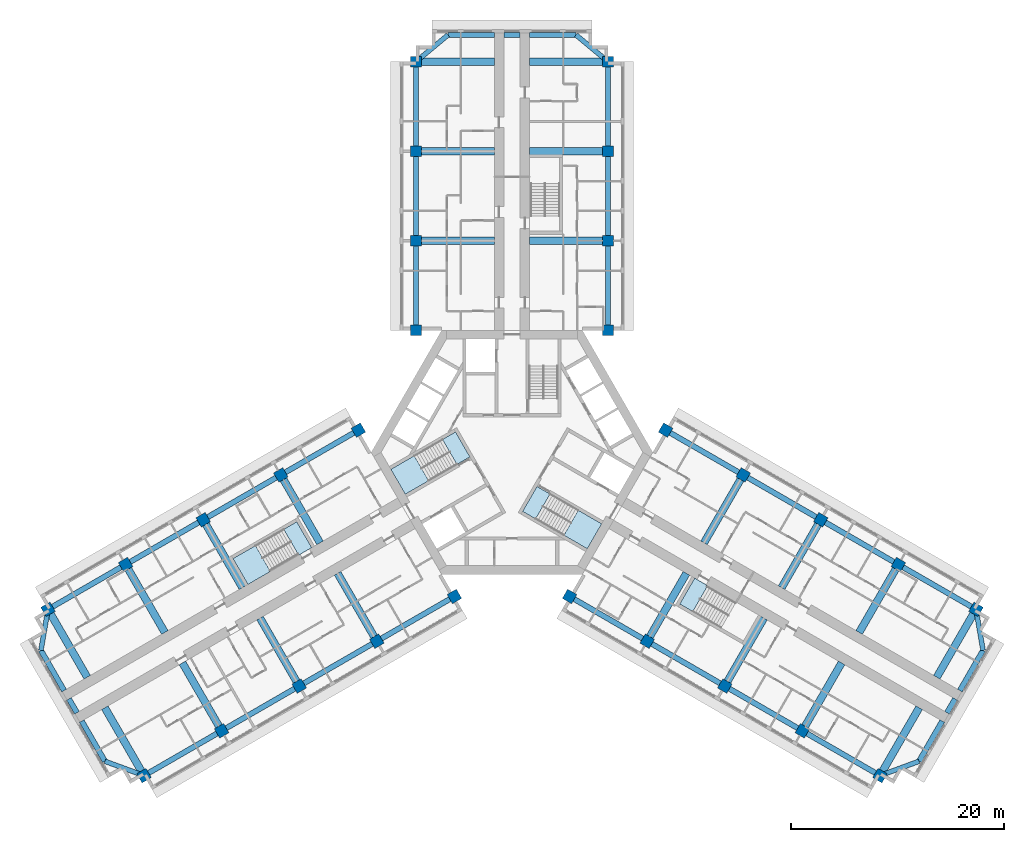
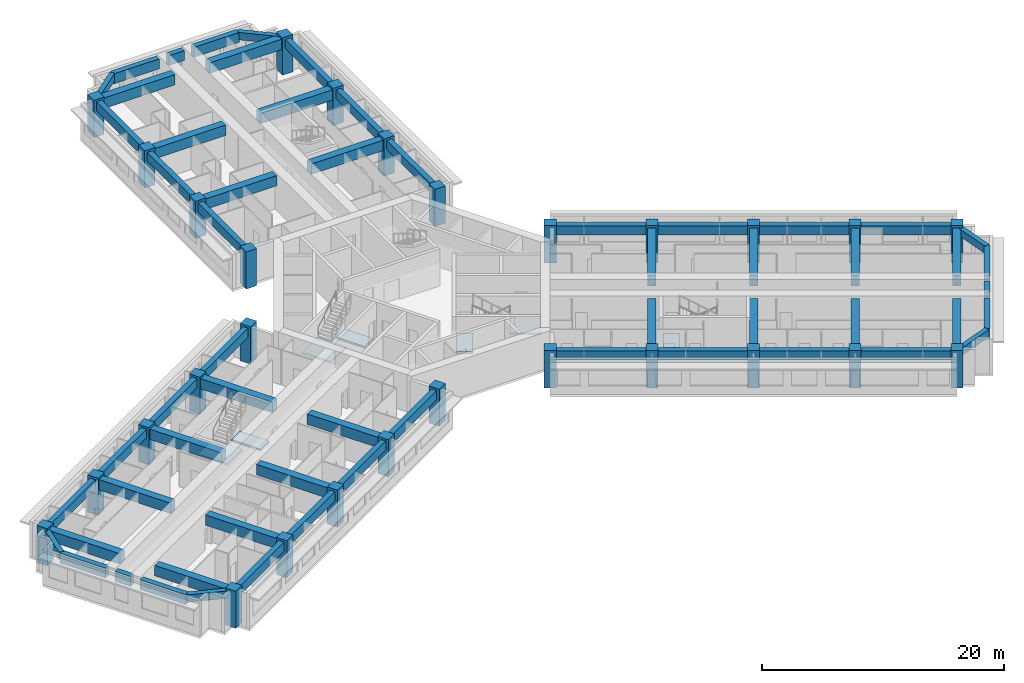
# One storey, part 1 of 14: 59 beams, 28 columns, 7 slabs, 4 elements without a shape of their own.
"""IFC4 building model written with IfcOpenShell, lengths in metres."""

from ifc_helpers import new_model, si_unit, direction, frame, origin, origin_2d, place, context, subcontext, project, spatial, polyline, rectangle, outline, extrude, material, layer, layer_set, material_profile, profile_set, type_object, element, aggregate, save


model = new_model("IFC4")

# Units and contexts
model_context = context("Model", 3, precision=1e-05, world=origin(), true_north=direction((0.0, 1.0)))
body_context = subcontext(model_context, "Body", "Model", "MODEL_VIEW")
ifc_project = project(units=[si_unit("LENGTHUNIT", "METRE"), si_unit("AREAUNIT", "SQUARE_METRE"), si_unit("VOLUMEUNIT", "CUBIC_METRE"), si_unit("PLANEANGLEUNIT", "RADIAN"), si_unit("MASSUNIT", "GRAM", prefix="KILO")], contexts=[model_context])

# Site, building, storey
site_placement = place(None, origin())
site = spatial("IfcSite", under=ifc_project, at=site_placement, CompositionType="ELEMENT")
building_placement = place(site_placement, origin())
building = spatial("IfcBuilding", under=site, at=building_placement, Name="Impinga Residences", CompositionType="ELEMENT")
storey_placement = place(building_placement, frame((0.0, 0.0, 124.75)))
storey = spatial("IfcBuildingStorey", under=building, at=storey_placement, Name="L30", CompositionType="ELEMENT", Elevation=124.75)

# Columns
ifc_material_1 = material(Name="Concrete C60/75", Category="concrete")
ifc_material_profile_1 = material_profile(ifc_material_1, rectangle(XDim=1.0, YDim=1.0, at=origin_2d()), Name="RC 1000x1000")
ifc_profile_set_1 = profile_set([ifc_material_profile_1], Name="Concrete C60/75")
column_type = type_object("IfcColumnType", Name="C3 1000x1000 column", PredefinedType="COLUMN", material=ifc_profile_set_1)
for number, where, z_axis, x_axis, name in (
    (1, (-9.0, 11.431640625, 0.0), (0.0, 0.0, 1.0), (1.0, 0.0, 0.0), "Column C3 N1/NA L30"),
    (2, (9.0, 11.431640625, 0.0), (0.0, 0.0, 1.0), (1.0, 0.0, 0.0), "Column C3 N1/NF L30"),
    (3, (-9.0, 19.83154296875, 0.0), (0.0, 0.0, 1.0), (1.0, 0.0, 0.0), "Column C3 N2/NA L30"),
    (4, (9.0, 19.83154296875, 0.0), (0.0, 0.0, 1.0), (1.0, 0.0, 0.0), "Column C3 N2/NF L30"),
    (5, (-9.0, 28.2314453125, 0.0), (0.0, 0.0, 1.0), (1.0, 0.0, 0.0), "Column C3 N3/NA L30"),
    (6, (9.0, 28.2314453125, 0.0), (0.0, 0.0, 1.0), (1.0, 0.0, 0.0), "Column C3 N3/NF L30"),
    (7, (-9.0, 36.631591796875, 0.0), (0.0, 0.0, 1.0), (1.0, 0.0, 0.0), "Column C3 N4/NA L30"),
    (8, (9.0, 36.631591796875, 0.0), (0.0, 0.0, 1.0), (1.0, 0.0, 0.0), "Column C3 N4/NF L30"),
    (9, (-5.39990234375, -13.510009765625, 0.0), (0.0, 0.0, 1.0), (-0.5, 0.866025403784, 0.0), "Column C3 W1/WA L30"),
    (10, (-14.39990234375, 2.078369140625, 0.0), (0.0, 0.0, 1.0), (-0.5, 0.866025403784, 0.0), "Column C3 W1/WF L30"),
    (11, (-12.674560546875, -17.7099609375, 0.0), (0.0, 0.0, 1.0), (-0.5, 0.866025403784, 0.0), "Column C3 W2/WA L30"),
    (12, (-21.674560546875, -2.12158203125, 0.0), (0.0, 0.0, 1.0), (-0.5, 0.866025403784, 0.0), "Column C3 W2/WF L30"),
    (13, (-19.94921875, -21.909912109375, 0.0), (0.0, 0.0, 1.0), (-0.5, 0.866025403784, 0.0), "Column C3 W3/WA L30"),
    (14, (-28.94921875, -6.321533203125, 0.0), (0.0, 0.0, 1.0), (-0.5, 0.866025403784, 0.0), "Column C3 W3/WF L30"),
    (15, (-27.223876953125, -26.110107421875, 0.0), (0.0, 0.0, 1.0), (-0.5, 0.866025403784, 0.0), "Column C3 W4/WA L30"),
    (16, (-36.223876953125, -10.521484375, 0.0), (0.0, 0.0, 1.0), (-0.5, 0.866025403784, 0.0), "Column C3 W4/WF L30"),
    (17, (-34.49853515625, -30.31005859375, 0.0), (0.0, 0.0, 1.0), (-0.5, 0.866025403784, 0.0), "Column C3 W5/WA L30"),
    (18, (-43.49853515625, -14.721435546875, 0.0), (0.0, 0.0, 1.0), (-0.5, 0.866025403784, 0.0), "Column C3 W5/WF L30"),
    (19, (14.39990234375, 2.078369140625, 0.0), (0.0, 0.0, 1.0), (-0.5, -0.866025403784, 0.0), "Column C3 E1/EA L30"),
    (20, (5.39990234375, -13.510009765625, 0.0), (0.0, 0.0, 1.0), (-0.5, -0.866025403784, 0.0), "Column C3 E1/EF L30"),
    (21, (21.674560546875, -2.12158203125, 0.0), (0.0, 0.0, 1.0), (-0.5, -0.866025403784, 0.0), "Column C3 E2/EA L30"),
    (22, (12.674560546875, -17.7099609375, 0.0), (0.0, 0.0, 1.0), (-0.5, -0.866025403784, 0.0), "Column C3 E2/EF L30"),
    (23, (28.94921875, -6.321533203125, 0.0), (0.0, 0.0, 1.0), (-0.5, -0.866025403784, 0.0), "Column C3 E3/EA L30"),
    (24, (19.94921875, -21.909912109375, 0.0), (0.0, 0.0, 1.0), (-0.5, -0.866025403784, 0.0), "Column C3 E3/EF L30"),
    (25, (36.223876953125, -10.521484375, 0.0), (0.0, 0.0, 1.0), (-0.5, -0.866025403784, 0.0), "Column C3 E4/EA L30"),
    (26, (27.223876953125, -26.110107421875, 0.0), (0.0, 0.0, 1.0), (-0.5, -0.866025403784, 0.0), "Column C3 E4/EF L30"),
    (27, (43.49853515625, -14.721435546875, 0.0), (0.0, 0.0, 1.0), (-0.5, -0.866025403784, 0.0), "Column C3 E5/EA L30"),
    (28, (34.49853515625, -30.31005859375, 0.0), (0.0, 0.0, 1.0), (-0.5, -0.866025403784, 0.0), "Column C3 E5/EF L30"),
):
    element("IfcColumn", number, at=place(storey_placement, frame(where, z_axis=z_axis, x_axis=x_axis)), inside=storey, type_object=column_type, Name=name, PredefinedType="COLUMN", context=body_context, shape_type="SweptSolid", body=[
        extrude(rectangle(XDim=1.0, YDim=1.0, at=origin_2d()), origin(), (0.0, 0.0, 1.0), 3.75),
    ])

# Beams
ifc_material_profile_2 = material_profile(ifc_material_1, rectangle(XDim=0.449951171875, YDim=0.75, at=origin_2d()), Name="RC 450x750")
ifc_profile_set_2 = profile_set([ifc_material_profile_2], Name="Concrete C60/75")
beam_type_1 = type_object("IfcBeamType", Name="CB1 450x750 wing end cantilever beam", PredefinedType="BEAM", material=ifc_profile_set_2)
for number, where, z_axis, x_axis, name in (
    (29, (-9.0, 36.631591796875, 3.155029296875), (0.768221279597, 0.640184399664, 0.0), (-0.640184399664, 0.768221279597, 0.0), "Beam CB1 NB N4-NX level L31"),
    (30, (9.0, 36.631591796875, 3.155029296875), (-0.768221279597, 0.640184399664, 0.0), (-0.640184399664, -0.768221279597, 0.0), "Beam CB1 NE N4-NX level L31"),
    (31, (-34.49853515625, -30.31005859375, 3.155029296875), (-0.938520178725, 0.345224382289, 0.0), (-0.345224382289, -0.938520178725, 0.0), "Beam CB1 WB W5-WX level L31"),
):
    element("IfcBeam", number, at=place(storey_placement, frame(where, z_axis=z_axis, x_axis=x_axis)), inside=storey, type_object=beam_type_1, Name=name, PredefinedType="BEAM", context=body_context, shape_type="SweptSolid", body=[
        extrude(rectangle(XDim=0.449951171875, YDim=0.75, at=origin_2d()), origin(), (0.0, 0.0, 1.0), 3.905029296875),
    ])
for number, where, z_axis, x_axis, name in (
    (32, (-43.49853515625, -14.721435546875, 3.155029296875), (-0.170296298948, -0.985392901621, 0.0), (0.985392901621, -0.170296298948, 0.0), "Beam CB1 WE W5-WX level L31"),
    (33, (43.49853515625, -14.721435546875, 3.155029296875), (0.170296298948, -0.985392901621, 0.0), (0.985392901621, 0.170296298948, 0.0), "Beam CB1 EB E5-EX level L31"),
):
    element("IfcBeam", number, at=place(storey_placement, frame(where, z_axis=z_axis, x_axis=x_axis)), inside=storey, type_object=beam_type_1, Name=name, PredefinedType="BEAM", context=body_context, shape_type="SweptSolid", body=[
        extrude(rectangle(XDim=0.449951171875, YDim=0.75, at=origin_2d()), origin(), (0.0, 0.0, 1.0), 3.9052734375),
    ])
beam_1_placement = place(storey_placement, frame((34.49853515625, -30.31005859375, 3.155029296875), z_axis=(0.938520178725, 0.345224382289, 0.0), x_axis=(-0.345224382289, 0.938520178725, 0.0)))
element("IfcBeam", 34, at=beam_1_placement, inside=storey, type_object=beam_type_1, Name="Beam CB1 EE E5-EX level L31", PredefinedType="BEAM", context=body_context, shape_type="SweptSolid", body=[
    extrude(rectangle(XDim=0.449951171875, YDim=0.75, at=origin_2d()), origin(), (0.0, 0.0, 1.0), 3.905029296875),
])
ifc_material_profile_3 = material_profile(ifc_material_1, rectangle(XDim=0.699951171875, YDim=1.050048828125, at=origin_2d()), Name="RC 700x1050")
ifc_profile_set_3 = profile_set([ifc_material_profile_3], Name="Concrete C60/75")
beam_type_2 = type_object("IfcBeamType", Name="CG1 700x1050 cross girder on a wing bay line", PredefinedType="BEAM", material=ifc_profile_set_3)
for number, where, z_axis, x_axis, name in (
    (35, (-1.64990234375, 19.83154296875, 3.0048828125), (-1.0, 0.0, 0.0), (0.0, -1.0, 0.0), "Beam CG1 N2 NC/NA level L31"),
    (36, (-1.64990234375, 28.2314453125, 3.0048828125), (-1.0, 0.0, 0.0), (0.0, -1.0, 0.0), "Beam CG1 N3 NC/NA level L31"),
    (37, (-1.64990234375, 36.631591796875, 3.0048828125), (-1.0, 0.0, 0.0), (0.0, -1.0, 0.0), "Beam CG1 N4 NC/NA level L31"),
    (38, (1.64990234375, 19.83154296875, 3.0048828125), (1.0, 0.0, 0.0), (0.0, 1.0, 0.0), "Beam CG1 N2 NC/NF level L31"),
    (39, (1.64990234375, 28.2314453125, 3.0048828125), (1.0, 0.0, 0.0), (0.0, 1.0, 0.0), "Beam CG1 N3 NC/NF level L31"),
    (40, (1.64990234375, 36.631591796875, 3.0048828125), (1.0, 0.0, 0.0), (0.0, 1.0, 0.0), "Beam CG1 N4 NC/NF level L31"),
    (41, (-16.349609375, -11.3447265625, 3.0048828125), (0.500008066151, -0.86602074674, 0.0), (0.86602074674, 0.500008066151, 0.0), "Beam CG1 W2 WC/WA level L31"),
    (42, (-23.624267578125, -15.544677734375, 3.0048828125), (0.500008066151, -0.86602074674, 0.0), (0.86602074674, 0.500008066151, 0.0), "Beam CG1 W3 WC/WA level L31"),
    (43, (-30.89892578125, -19.74462890625, 3.0048828125), (0.499993683172, -0.866029050776, 0.0), (0.866029050776, 0.499993683172, 0.0), "Beam CG1 W4 WC/WA level L31"),
):
    element("IfcBeam", number, at=place(storey_placement, frame(where, z_axis=z_axis, x_axis=x_axis)), inside=storey, type_object=beam_type_2, Name=name, PredefinedType="BEAM", context=body_context, shape_type="SweptSolid", body=[
        extrude(rectangle(XDim=0.699951171875, YDim=1.050048828125, at=origin_2d()), origin(), (0.0, 0.0, 1.0), 7.35009765625),
    ])
beam_2_placement = place(storey_placement, frame((-38.17333984375, -23.94482421875, 3.0048828125), z_axis=(0.499983153418, -0.866035129944, 0.0), x_axis=(0.866035129944, 0.499983153418, 0.0)))
element("IfcBeam", 44, at=beam_2_placement, inside=storey, type_object=beam_type_2, Name="Beam CG1 W5 WC/WA level L31", PredefinedType="BEAM", context=body_context, shape_type="SweptSolid", body=[
    extrude(rectangle(XDim=0.699951171875, YDim=1.050048828125, at=origin_2d()), origin(), (0.0, 0.0, 1.0), 7.349853515625),
])
for number, where, z_axis, x_axis, name in (
    (45, (-17.99951171875, -8.48681640625, 3.0048828125), (-0.500008066151, 0.86602074674, 0.0), (-0.86602074674, -0.500008066151, 0.0), "Beam CG1 W2 WC/WF level L31"),
    (46, (-25.274169921875, -12.686767578125, 3.0048828125), (-0.500008066151, 0.86602074674, 0.0), (-0.86602074674, -0.500008066151, 0.0), "Beam CG1 W3 WC/WF level L31"),
    (47, (-32.548828125, -16.88671875, 3.0048828125), (-0.500008066151, 0.86602074674, 0.0), (-0.86602074674, -0.500008066151, 0.0), "Beam CG1 W4 WC/WF level L31"),
    (48, (-39.823486328125, -21.0869140625, 3.0048828125), (-0.499993683172, 0.866029050776, 0.0), (-0.866029050776, -0.499993683172, 0.0), "Beam CG1 W5 WC/WF level L31"),
    (49, (17.99951171875, -8.48681640625, 3.0048828125), (0.500008066151, 0.86602074674, 0.0), (-0.86602074674, 0.500008066151, 0.0), "Beam CG1 E2 EC/EA level L31"),
    (50, (25.274169921875, -12.686767578125, 3.0048828125), (0.500008066151, 0.86602074674, 0.0), (-0.86602074674, 0.500008066151, 0.0), "Beam CG1 E3 EC/EA level L31"),
    (51, (32.548828125, -16.88671875, 3.0048828125), (0.500008066151, 0.86602074674, 0.0), (-0.86602074674, 0.500008066151, 0.0), "Beam CG1 E4 EC/EA level L31"),
    (52, (39.823486328125, -21.0869140625, 3.0048828125), (0.499993683172, 0.866029050776, 0.0), (-0.866029050776, 0.499993683172, 0.0), "Beam CG1 E5 EC/EA level L31"),
    (53, (16.349609375, -11.3447265625, 3.0048828125), (-0.500008066151, -0.86602074674, 0.0), (0.86602074674, -0.500008066151, 0.0), "Beam CG1 E2 EC/EF level L31"),
    (54, (23.624267578125, -15.544677734375, 3.0048828125), (-0.500008066151, -0.86602074674, 0.0), (0.86602074674, -0.500008066151, 0.0), "Beam CG1 E3 EC/EF level L31"),
    (55, (30.89892578125, -19.74462890625, 3.0048828125), (-0.499993683172, -0.866029050776, 0.0), (0.866029050776, -0.499993683172, 0.0), "Beam CG1 E4 EC/EF level L31"),
):
    element("IfcBeam", number, at=place(storey_placement, frame(where, z_axis=z_axis, x_axis=x_axis)), inside=storey, type_object=beam_type_2, Name=name, PredefinedType="BEAM", context=body_context, shape_type="SweptSolid", body=[
        extrude(rectangle(XDim=0.699951171875, YDim=1.050048828125, at=origin_2d()), origin(), (0.0, 0.0, 1.0), 7.35009765625),
    ])
beam_3_placement = place(storey_placement, frame((38.17333984375, -23.94482421875, 3.0048828125), z_axis=(-0.499983153418, -0.866035129944, 0.0), x_axis=(0.866035129944, -0.499983153418, 0.0)))
element("IfcBeam", 56, at=beam_3_placement, inside=storey, type_object=beam_type_2, Name="Beam CG1 E5 EC/EF level L31", PredefinedType="BEAM", context=body_context, shape_type="SweptSolid", body=[
    extrude(rectangle(XDim=0.699951171875, YDim=1.050048828125, at=origin_2d()), origin(), (0.0, 0.0, 1.0), 7.349853515625),
])
ifc_material_profile_4 = material_profile(ifc_material_1, rectangle(XDim=0.5, YDim=1.0, at=origin_2d()), Name="RC 500x1000")
ifc_profile_set_4 = profile_set([ifc_material_profile_4], Name="Concrete C60/75")
beam_type_3 = type_object("IfcBeamType", Name="EB1 500x1000 wing end beam", PredefinedType="BEAM", material=ifc_profile_set_4)
beam_4_placement = place(storey_placement, frame((-6.0, 39.131591796875, 3.030029296875), z_axis=(1.0, 0.0, 0.0), x_axis=(0.0, 1.0, 0.0)))
element("IfcBeam", 57, at=beam_4_placement, inside=storey, type_object=beam_type_3, Name="Beam EB1 NX3 level L31", PredefinedType="BEAM", context=body_context, shape_type="SweptSolid", body=[
    extrude(rectangle(XDim=0.5, YDim=1.0, at=origin_2d()), origin(), (0.0, 0.0, 1.0), 4.35009765625),
])
beam_5_placement = place(storey_placement, frame((-0.75, 39.131591796875, 3.030029296875), z_axis=(1.0, 0.0, 0.0), x_axis=(0.0, 1.0, 0.0)))
element("IfcBeam", 58, at=beam_5_placement, inside=storey, type_object=beam_type_3, Name="Beam EB1 NX3 level L31", PredefinedType="BEAM", context=body_context, shape_type="SweptSolid", body=[
    extrude(rectangle(XDim=0.5, YDim=1.0, at=origin_2d()), origin(), (0.0, 0.0, 1.0), 1.5),
])
beam_6_placement = place(storey_placement, frame((1.64990234375, 39.131591796875, 3.030029296875), z_axis=(1.0, 0.0, 0.0), x_axis=(0.0, 1.0, 0.0)))
element("IfcBeam", 59, at=beam_6_placement, inside=storey, type_object=beam_type_3, Name="Beam EB1 NX3 level L31", PredefinedType="BEAM", context=body_context, shape_type="SweptSolid", body=[
    extrude(rectangle(XDim=0.5, YDim=1.0, at=origin_2d()), origin(), (0.0, 0.0, 1.0), 4.35009765625),
])
beam_7_placement = place(storey_placement, frame((-38.16357421875, -28.9619140625, 3.030029296875), z_axis=(-0.500020430026, 0.866013608182, 0.0), x_axis=(-0.866013608182, -0.500020430026, 0.0)))
element("IfcBeam", 60, at=beam_7_placement, inside=storey, type_object=beam_type_3, Name="Beam EB1 WX4 level L31", PredefinedType="BEAM", context=body_context, shape_type="SweptSolid", body=[
    extrude(rectangle(XDim=0.5, YDim=1.0, at=origin_2d()), origin(), (0.0, 0.0, 1.0), 4.349853515625),
])
beam_8_placement = place(storey_placement, frame((-40.78857421875, -24.415283203125, 3.030029296875), z_axis=(-0.499990139034, 0.866031096941, 0.0), x_axis=(-0.866031096941, -0.499990139034, 0.0)))
element("IfcBeam", 61, at=beam_8_placement, inside=storey, type_object=beam_type_3, Name="Beam EB1 WX4 level L31", PredefinedType="BEAM", context=body_context, shape_type="SweptSolid", body=[
    extrude(rectangle(XDim=0.5, YDim=1.0, at=origin_2d()), origin(), (0.0, 0.0, 1.0), 1.5),
])
for number, where, z_axis, x_axis, name in (
    (62, (-41.988525390625, -22.3369140625, 3.030029296875), (-0.499996127374, 0.866027639635, 0.0), (-0.866027639635, -0.499996127374, 0.0), "Beam EB1 WX4 level L31"),
    (63, (44.16357421875, -18.569580078125, 3.030029296875), (-0.499996127374, -0.866027639635, 0.0), (0.866027639635, -0.499996127374, 0.0), "Beam EB1 EX4 level L31"),
):
    element("IfcBeam", number, at=place(storey_placement, frame(where, z_axis=z_axis, x_axis=x_axis)), inside=storey, type_object=beam_type_3, Name=name, PredefinedType="BEAM", context=body_context, shape_type="SweptSolid", body=[
        extrude(rectangle(XDim=0.5, YDim=1.0, at=origin_2d()), origin(), (0.0, 0.0, 1.0), 4.35009765625),
    ])
beam_9_placement = place(storey_placement, frame((41.53857421875, -23.1162109375, 3.030029296875), z_axis=(-0.499990139034, -0.866031096941, 0.0), x_axis=(0.866031096941, -0.499990139034, 0.0)))
element("IfcBeam", 64, at=beam_9_placement, inside=storey, type_object=beam_type_3, Name="Beam EB1 EX4 level L31", PredefinedType="BEAM", context=body_context, shape_type="SweptSolid", body=[
    extrude(rectangle(XDim=0.5, YDim=1.0, at=origin_2d()), origin(), (0.0, 0.0, 1.0), 1.5),
])
beam_10_placement = place(storey_placement, frame((40.338623046875, -25.19482421875, 3.030029296875), z_axis=(-0.500020430026, -0.866013608182, 0.0), x_axis=(0.866013608182, -0.500020430026, 0.0)))
element("IfcBeam", 65, at=beam_10_placement, inside=storey, type_object=beam_type_3, Name="Beam EB1 EX4 level L31", PredefinedType="BEAM", context=body_context, shape_type="SweptSolid", body=[
    extrude(rectangle(XDim=0.5, YDim=1.0, at=origin_2d()), origin(), (0.0, 0.0, 1.0), 4.349853515625),
])
ifc_material_profile_5 = material_profile(ifc_material_1, rectangle(XDim=0.5, YDim=0.89990234375, at=origin_2d()), Name="RC 500x900")
ifc_profile_set_5 = profile_set([ifc_material_profile_5], Name="Concrete C60/75")
beam_type_4 = type_object("IfcBeamType", Name="SB1 500x900 perimeter spandrel beam", PredefinedType="SPANDREL", material=ifc_profile_set_5)
for number, where, z_axis, x_axis, name in (
    (66, (-9.0, 11.431640625, 3.080078125), (0.0, 1.0, 0.0), (-1.0, 0.0, 0.0), "Beam SB1 NA N1-N2 level L31"),
    (67, (-9.0, 19.83154296875, 3.080078125), (0.0, 1.0, 0.0), (-1.0, 0.0, 0.0), "Beam SB1 NA N2-N3 level L31"),
):
    element("IfcBeam", number, at=place(storey_placement, frame(where, z_axis=z_axis, x_axis=x_axis)), inside=storey, type_object=beam_type_4, Name=name, PredefinedType="SPANDREL", context=body_context, shape_type="SweptSolid", body=[
        extrude(rectangle(XDim=0.5, YDim=0.89990234375, at=origin_2d()), origin(), (0.0, 0.0, 1.0), 8.39990234375),
    ])
beam_11_placement = place(storey_placement, frame((-9.0, 28.2314453125, 3.080078125), z_axis=(0.0, 1.0, 0.0), x_axis=(-1.0, 0.0, 0.0)))
element("IfcBeam", 68, at=beam_11_placement, inside=storey, type_object=beam_type_4, Name="Beam SB1 NA N3-N4 level L31", PredefinedType="SPANDREL", context=body_context, shape_type="SweptSolid", body=[
    extrude(rectangle(XDim=0.5, YDim=0.89990234375, at=origin_2d()), origin(), (0.0, 0.0, 1.0), 8.400146484375),
])
for number, where, z_axis, x_axis, name in (
    (69, (9.0, 11.431640625, 3.080078125), (0.0, 1.0, 0.0), (-1.0, 0.0, 0.0), "Beam SB1 NF N1-N2 level L31"),
    (70, (9.0, 19.83154296875, 3.080078125), (0.0, 1.0, 0.0), (-1.0, 0.0, 0.0), "Beam SB1 NF N2-N3 level L31"),
):
    element("IfcBeam", number, at=place(storey_placement, frame(where, z_axis=z_axis, x_axis=x_axis)), inside=storey, type_object=beam_type_4, Name=name, PredefinedType="SPANDREL", context=body_context, shape_type="SweptSolid", body=[
        extrude(rectangle(XDim=0.5, YDim=0.89990234375, at=origin_2d()), origin(), (0.0, 0.0, 1.0), 8.39990234375),
    ])
beam_12_placement = place(storey_placement, frame((9.0, 28.2314453125, 3.080078125), z_axis=(0.0, 1.0, 0.0), x_axis=(-1.0, 0.0, 0.0)))
element("IfcBeam", 71, at=beam_12_placement, inside=storey, type_object=beam_type_4, Name="Beam SB1 NF N3-N4 level L31", PredefinedType="SPANDREL", context=body_context, shape_type="SweptSolid", body=[
    extrude(rectangle(XDim=0.5, YDim=0.89990234375, at=origin_2d()), origin(), (0.0, 0.0, 1.0), 8.400146484375),
])
for number, where, z_axis, x_axis, name in (
    (72, (-5.39990234375, -13.510009765625, 3.080078125), (-0.86602925447, -0.499993330357, 0.0), (0.499993330357, -0.86602925447, 0.0), "Beam SB1 WA W1-W2 level L31"),
    (73, (-12.674560546875, -17.7099609375, 3.080078125), (-0.86602925447, -0.499993330357, 0.0), (0.499993330357, -0.86602925447, 0.0), "Beam SB1 WA W2-W3 level L31"),
):
    element("IfcBeam", number, at=place(storey_placement, frame(where, z_axis=z_axis, x_axis=x_axis)), inside=storey, type_object=beam_type_4, Name=name, PredefinedType="SPANDREL", context=body_context, shape_type="SweptSolid", body=[
        extrude(rectangle(XDim=0.5, YDim=0.89990234375, at=origin_2d()), origin(), (0.0, 0.0, 1.0), 8.39990234375),
    ])
beam_13_placement = place(storey_placement, frame((-19.94921875, -21.909912109375, 3.080078125), z_axis=(-0.866016669275, -0.500015128309, 0.0), x_axis=(0.500015128309, -0.866016669275, 0.0)))
element("IfcBeam", 74, at=beam_13_placement, inside=storey, type_object=beam_type_4, Name="Beam SB1 WA W3-W4 level L31", PredefinedType="SPANDREL", context=body_context, shape_type="SweptSolid", body=[
    extrude(rectangle(XDim=0.5, YDim=0.89990234375, at=origin_2d()), origin(), (0.0, 0.0, 1.0), 8.400146484375),
])
for number, where, z_axis, x_axis, name in (
    (75, (-27.223876953125, -26.110107421875, 3.080078125), (-0.86602925447, -0.499993330357, 0.0), (0.499993330357, -0.86602925447, 0.0), "Beam SB1 WA W4-W5 level L31"),
    (76, (-14.39990234375, 2.078369140625, 3.080078125), (-0.86602925447, -0.499993330357, 0.0), (0.499993330357, -0.86602925447, 0.0), "Beam SB1 WF W1-W2 level L31"),
    (77, (-21.674560546875, -2.12158203125, 3.080078125), (-0.86602925447, -0.499993330357, 0.0), (0.499993330357, -0.86602925447, 0.0), "Beam SB1 WF W2-W3 level L31"),
    (78, (-28.94921875, -6.321533203125, 3.080078125), (-0.86602925447, -0.499993330357, 0.0), (0.499993330357, -0.86602925447, 0.0), "Beam SB1 WF W3-W4 level L31"),
    (79, (-36.223876953125, -10.521484375, 3.080078125), (-0.86602925447, -0.499993330357, 0.0), (0.499993330357, -0.86602925447, 0.0), "Beam SB1 WF W4-W5 level L31"),
    (80, (14.39990234375, 2.078369140625, 3.080078125), (0.86602925447, -0.499993330357, 0.0), (0.499993330357, 0.86602925447, 0.0), "Beam SB1 EA E1-E2 level L31"),
    (81, (21.674560546875, -2.12158203125, 3.080078125), (0.86602925447, -0.499993330357, 0.0), (0.499993330357, 0.86602925447, 0.0), "Beam SB1 EA E2-E3 level L31"),
    (82, (28.94921875, -6.321533203125, 3.080078125), (0.86602925447, -0.499993330357, 0.0), (0.499993330357, 0.86602925447, 0.0), "Beam SB1 EA E3-E4 level L31"),
    (83, (36.223876953125, -10.521484375, 3.080078125), (0.86602925447, -0.499993330357, 0.0), (0.499993330357, 0.86602925447, 0.0), "Beam SB1 EA E4-E5 level L31"),
    (84, (5.39990234375, -13.510009765625, 3.080078125), (0.86602925447, -0.499993330357, 0.0), (0.499993330357, 0.86602925447, 0.0), "Beam SB1 EF E1-E2 level L31"),
    (85, (12.674560546875, -17.7099609375, 3.080078125), (0.86602925447, -0.499993330357, 0.0), (0.499993330357, 0.86602925447, 0.0), "Beam SB1 EF E2-E3 level L31"),
):
    element("IfcBeam", number, at=place(storey_placement, frame(where, z_axis=z_axis, x_axis=x_axis)), inside=storey, type_object=beam_type_4, Name=name, PredefinedType="SPANDREL", context=body_context, shape_type="SweptSolid", body=[
        extrude(rectangle(XDim=0.5, YDim=0.89990234375, at=origin_2d()), origin(), (0.0, 0.0, 1.0), 8.39990234375),
    ])
beam_14_placement = place(storey_placement, frame((19.94921875, -21.909912109375, 3.080078125), z_axis=(0.866016669275, -0.500015128309, 0.0), x_axis=(0.500015128309, 0.866016669275, 0.0)))
element("IfcBeam", 86, at=beam_14_placement, inside=storey, type_object=beam_type_4, Name="Beam SB1 EF E3-E4 level L31", PredefinedType="SPANDREL", context=body_context, shape_type="SweptSolid", body=[
    extrude(rectangle(XDim=0.5, YDim=0.89990234375, at=origin_2d()), origin(), (0.0, 0.0, 1.0), 8.400146484375),
])
beam_15_placement = place(storey_placement, frame((27.223876953125, -26.110107421875, 3.080078125), z_axis=(0.86602925447, -0.499993330357, 0.0), x_axis=(0.499993330357, 0.86602925447, 0.0)))
element("IfcBeam", 87, at=beam_15_placement, inside=storey, type_object=beam_type_4, Name="Beam SB1 EF E4-E5 level L31", PredefinedType="SPANDREL", context=body_context, shape_type="SweptSolid", body=[
    extrude(rectangle(XDim=0.5, YDim=0.89990234375, at=origin_2d()), origin(), (0.0, 0.0, 1.0), 8.39990234375),
])

# Stair, slabs
ifc_material_2 = material(Name="Concrete C40/50", Category="concrete")
stair_type_1 = type_object("IfcStairType", Name="STR core stair 3750 storey, 24 risers", PredefinedType="HALF_TURN_STAIR", material=ifc_material_2)
stair_1_placement = place(storey_placement, origin())
stair_1 = element("IfcStair", 88, at=stair_1_placement, inside=storey, type_object=stair_type_1, Name="Stair ST2 L30", PredefinedType="HALF_TURN_STAIR")
ifc_layer = layer(ifc_material_2, 0.199951171875)
ifc_layer_set = layer_set([ifc_layer], Name="Concrete C40/50")
slab_type = type_object("IfcSlabType", Name="LS1 stair landing 200", PredefinedType="LANDING", material=ifc_layer_set)
slab_1_placement = place(storey_placement, frame((0.0, 0.0, -0.199951171875)))
slab_1 = element("IfcSlab", 89, at=slab_1_placement, type_object=slab_type, Name="ST2 landing 1", PredefinedType="LANDING", context=body_context, shape_type="SweptSolid", body=[
    extrude(outline(polyline([(-3.943603515625, -0.429443359375), (-5.293701171875, 1.908935546875), (-6.5146484375, 1.203857421875), (-5.164794921875, -1.13427734375), (-3.943603515625, -0.429443359375)])), origin(), (0.0, 0.0, 1.0), 0.199951171875),
])
slab_2_placement = place(storey_placement, frame((0.0, 0.0, 1.675048828125)))
slab_2 = element("IfcSlab", 90, at=slab_2_placement, type_object=slab_type, Name="ST2 landing 2", PredefinedType="LANDING", context=body_context, shape_type="SweptSolid", body=[
    extrude(outline(polyline([(-7.814697265625, -2.664306640625), (-9.164794921875, -0.326171875), (-11.357177734375, -1.591796875), (-10.007080078125, -3.93017578125), (-7.814697265625, -2.664306640625)])), origin(), (0.0, 0.0, 1.0), 0.199951171875),
])
aggregate(stair_1, [slab_1, slab_2])

stair_2_placement = place(storey_placement, origin())
stair_2 = element("IfcStair", 91, at=stair_2_placement, inside=storey, type_object=stair_type_1, Name="Stair ST3 L30", PredefinedType="HALF_TURN_STAIR")
slab_3_placement = place(storey_placement, frame((0.0, 0.0, -0.199951171875)))
slab_3 = element("IfcSlab", 92, at=slab_3_placement, type_object=slab_type, Name="ST3 landing 1", PredefinedType="LANDING", context=body_context, shape_type="SweptSolid", body=[
    extrude(outline(polyline([(2.34375, -3.20068359375), (0.99365234375, -5.538818359375), (2.21484375, -6.243896484375), (3.564697265625, -3.90576171875), (2.34375, -3.20068359375)])), origin(), (0.0, 0.0, 1.0), 0.199951171875),
])
slab_4_placement = place(storey_placement, frame((0.0, 0.0, 1.675048828125)))
slab_4 = element("IfcSlab", 93, at=slab_4_placement, type_object=slab_type, Name="ST3 landing 2", PredefinedType="LANDING", context=body_context, shape_type="SweptSolid", body=[
    extrude(outline(polyline([(6.21484375, -5.435546875), (4.86474609375, -7.77392578125), (7.05712890625, -9.039794921875), (8.4072265625, -6.701416015625), (6.21484375, -5.435546875)])), origin(), (0.0, 0.0, 1.0), 0.199951171875),
])
aggregate(stair_2, [slab_3, slab_4])

stair_type_2 = type_object("IfcStairType", Name="STR wing stair 3750 storey, 24 risers", PredefinedType="HALF_TURN_STAIR", material=ifc_material_2)
stair_3_placement = place(storey_placement, origin())
stair_3 = element("IfcStair", 94, at=stair_3_placement, inside=storey, type_object=stair_type_2, Name="Stair WS2 L30", PredefinedType="HALF_TURN_STAIR")
slab_5_placement = place(storey_placement, frame((0.0, 0.0, -0.199951171875)))
slab_5 = element("IfcSlab", 95, at=slab_5_placement, type_object=slab_type, Name="WS2 landing 1", PredefinedType="LANDING", context=body_context, shape_type="SweptSolid", body=[
    extrude(outline(polyline([(-18.779052734375, -8.936767578125), (-20.178955078125, -6.511962890625), (-21.400146484375, -7.217041015625), (-20.000244140625, -9.641845703125), (-18.779052734375, -8.936767578125)])), origin(), (0.0, 0.0, 1.0), 0.199951171875),
])
slab_6_placement = place(storey_placement, frame((0.0, 0.0, 1.675048828125)))
slab_6 = element("IfcSlab", 96, at=slab_6_placement, type_object=slab_type, Name="WS2 landing 2", PredefinedType="LANDING", context=body_context, shape_type="SweptSolid", body=[
    extrude(outline(polyline([(-22.650146484375, -11.171875), (-24.050048828125, -8.7470703125), (-26.154541015625, -9.9619140625), (-24.754638671875, -12.38671875), (-22.650146484375, -11.171875)])), origin(), (0.0, 0.0, 1.0), 0.199951171875),
])
aggregate(stair_3, [slab_5, slab_6])

# Stair, slab
stair_4_placement = place(storey_placement, origin())
stair_4 = element("IfcStair", 97, at=stair_4_placement, inside=storey, type_object=stair_type_2, Name="Stair WS3 L30", PredefinedType="HALF_TURN_STAIR")
slab_7_placement = place(storey_placement, frame((0.0, 0.0, -0.199951171875)))
slab_7 = element("IfcSlab", 98, at=slab_7_placement, type_object=slab_type, Name="WS3 landing 1", PredefinedType="LANDING", context=body_context, shape_type="SweptSolid", body=[
    extrude(outline(polyline([(17.129150390625, -11.794677734375), (15.72900390625, -14.219482421875), (16.9501953125, -14.924560546875), (18.35009765625, -12.499755859375), (17.129150390625, -11.794677734375)])), origin(), (0.0, 0.0, 1.0), 0.199951171875),
])
aggregate(stair_4, [slab_7])

save(model, "model.ifc")
